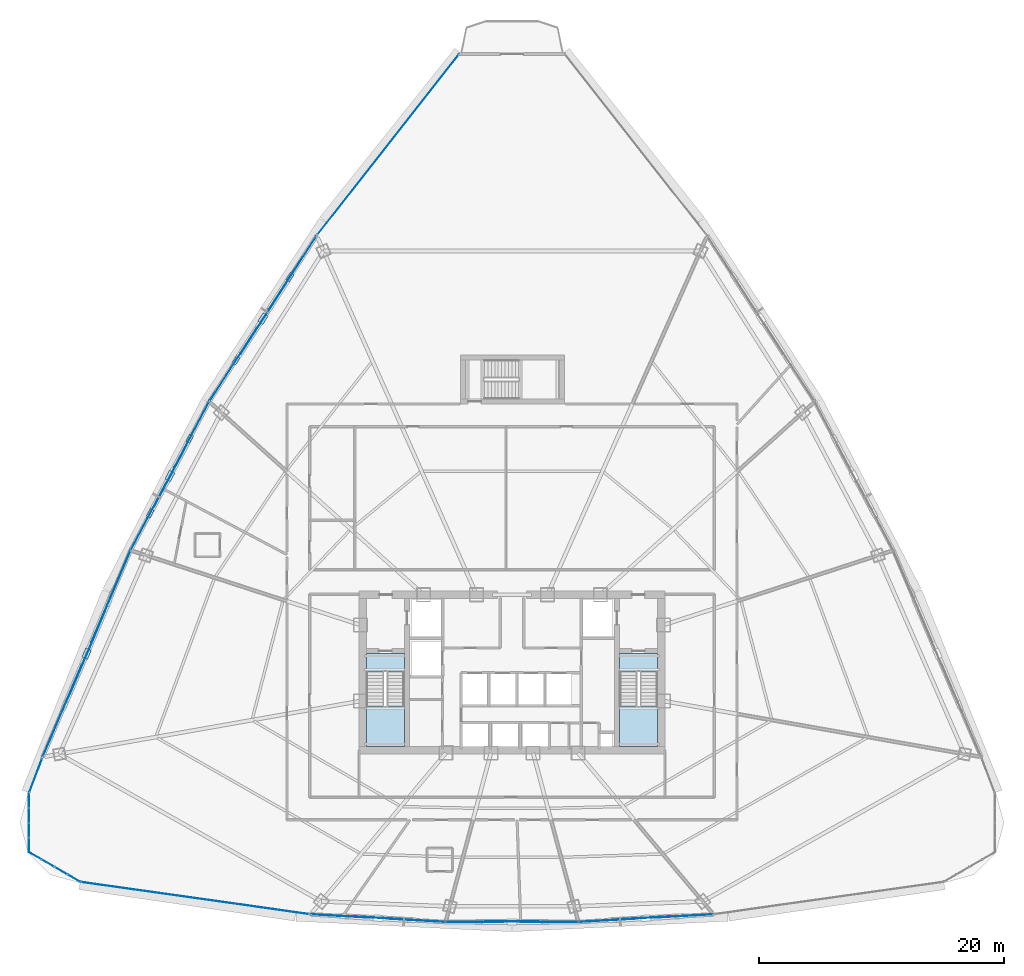
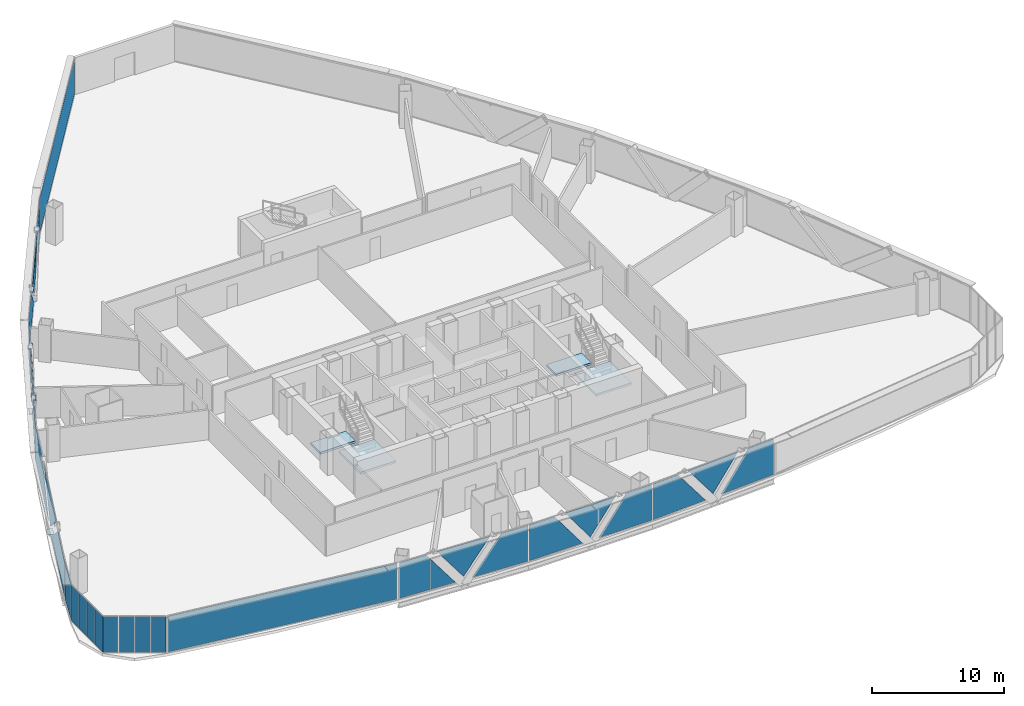
# One storey, part 31 of 42: 36 plates, 4 slabs, 13 elements without a shape of their own.
"""IFC4 building model written with IfcOpenShell, lengths in metres."""

from ifc_helpers import new_model, si_unit, direction, frame, origin, origin_2d, place, context, subcontext, project, spatial, polyline, rectangle, outline, extrude, source, transform, mapped, material, layer, layer_set, type_object, element, aggregate, save


model = new_model("IFC4")

# Units and contexts
model_context = context("Model", 3, precision=1e-05, world=origin(), true_north=direction((0.0, 1.0)))
body_context = subcontext(model_context, "Body", "Model", "MODEL_VIEW")
ifc_project = project(units=[si_unit("LENGTHUNIT", "METRE"), si_unit("AREAUNIT", "SQUARE_METRE"), si_unit("VOLUMEUNIT", "CUBIC_METRE"), si_unit("PLANEANGLEUNIT", "RADIAN"), si_unit("MASSUNIT", "GRAM", prefix="KILO"), si_unit("THERMODYNAMICTEMPERATUREUNIT", "KELVIN"), si_unit("POWERUNIT", "WATT")], contexts=[model_context])

# Site, building, storey
site_placement = place(None, origin())
site = spatial("IfcSite", under=ifc_project, at=site_placement, CompositionType="ELEMENT")
building_placement = place(site_placement, origin())
building = spatial("IfcBuilding", under=site, at=building_placement, Name="Yunzhuo Pagoda Commons", CompositionType="ELEMENT")
storey_placement = place(building_placement, frame((0.0, 0.0, 151.909912109375)))
storey = spatial("IfcBuildingStorey", under=building, at=storey_placement, Name="L38", CompositionType="ELEMENT", Elevation=151.909912109375)

# Curtain wall, plates
ifc_material_1 = material(Name="Anodized aluminium 6063-T6", Category="aluminium")
ifc_layer_1 = layer(ifc_material_1, 0.14990234375)
ifc_layer_set_1 = layer_set([ifc_layer_1], Name="Anodized aluminium 6063-T6")
curtain_wall_type_1 = type_object("IfcCurtainWallType", Name="CW-MID Mid-Zone Ribbon Curtain Wall", PredefinedType="NOTDEFINED", material=ifc_layer_set_1)
curtain_wall_1_placement = place(storey_placement, origin())
curtain_wall_1 = element("IfcCurtainWall", 1, at=curtain_wall_1_placement, inside=storey, type_object=curtain_wall_type_1, Name="L38 curtain wall CW-L38-F1B2", PredefinedType="NOTDEFINED")
ifc_material_2 = material(Name="Tempered low-e double glazing", Category="glass")
ifc_layer_2 = layer(ifc_material_2, 0.028076171875)
ifc_layer_set_2 = layer_set([ifc_layer_2], Name="Tempered low-e double glazing")
plate_type_1 = type_object("IfcPlateType", Name="CW-MID-P Low-E Double Glazing 28", PredefinedType="CURTAIN_PANEL", material=ifc_layer_set_2)
plate_1_placement = place(storey_placement, frame((33.963623046875, 13.94482421875, 1.710205078125), z_axis=(-0.056459249567, -0.998404904404, 0.0), x_axis=(0.998404904404, -0.056459249567, 0.0)))
plate_1 = element("IfcPlate", 2, at=plate_1_placement, type_object=plate_type_1, Name="CW panel 1.1 lite 1", PredefinedType="CURTAIN_PANEL", context=body_context, shape_type="SweptSolid", body=[
    extrude(outline(polyline([(-2.379638671875, -1.655029296875), (2.379638671875, -1.655029296875), (-0.10791015625, 1.655029296875), (-2.379638671875, 1.655029296875), (-2.379638671875, -1.655029296875)])), origin(), (0.0, 0.0, 1.0), 0.028076171875),
])
plate_2_placement = place(storey_placement, frame((37.05224609375, 13.800048828125, 1.868896484375), z_axis=(-0.056459249567, -0.998404904404, 0.0), x_axis=(0.998404904404, -0.056459249567, 0.0)))
plate_2 = element("IfcPlate", 3, at=plate_2_placement, type_object=plate_type_1, Name="CW panel 1.1 lite 2", PredefinedType="CURTAIN_PANEL", context=body_context, shape_type="SweptSolid", body=[
    extrude(outline(polyline([(-2.2490234375, 1.496337890625), (0.0, -1.496337890625), (2.2490234375, 1.496337890625), (-2.2490234375, 1.496337890625)])), origin(), (0.0, 0.0, 1.0), 0.028076171875),
])
plate_3_placement = place(storey_placement, frame((40.137451171875, 13.595458984375, 1.710205078125), z_axis=(-0.056459249567, -0.998404904404, 0.0), x_axis=(0.998404904404, -0.056459249567, 0.0)))
plate_3 = element("IfcPlate", 4, at=plate_3_placement, type_object=plate_type_1, Name="CW panel 1.1 lite 3", PredefinedType="CURTAIN_PANEL", context=body_context, shape_type="SweptSolid", body=[
    extrude(outline(polyline([(-2.379638671875, -1.655029296875), (2.379638671875, -1.655029296875), (2.379638671875, 1.655029296875), (0.10791015625, 1.655029296875), (-2.379638671875, -1.655029296875)])), origin(), (0.0, 0.0, 1.0), 0.028076171875),
])
aggregate(curtain_wall_1, [plate_1, plate_2, plate_3])

curtain_wall_2_placement = place(storey_placement, origin())
curtain_wall_2 = element("IfcCurtainWall", 5, at=curtain_wall_2_placement, inside=storey, type_object=curtain_wall_type_1, Name="L38 curtain wall CW-L38-F1B3", PredefinedType="NOTDEFINED")
plate_4_placement = place(storey_placement, frame((44.964111328125, 13.4580078125, 1.710205078125), z_axis=(0.0, -1.0, 0.0), x_axis=(1.0, 0.0, 0.0)))
plate_4 = element("IfcPlate", 6, at=plate_4_placement, type_object=plate_type_1, Name="CW panel 1.1 lite 1", PredefinedType="CURTAIN_PANEL", context=body_context, shape_type="SweptSolid", body=[
    extrude(outline(polyline([(-2.33154296875, -1.655029296875), (2.33154296875, -1.655029296875), (-0.109375, 1.655029296875), (-2.33154296875, 1.655029296875), (-2.33154296875, -1.655029296875)])), origin(), (0.0, 0.0, 1.0), 0.028076171875),
])
plate_5_placement = place(storey_placement, frame((48.0, 13.48779296875, 1.872802734375), z_axis=(0.0, -1.0, 0.0), x_axis=(1.0, 0.0, 0.0)))
plate_5 = element("IfcPlate", 7, at=plate_5_placement, type_object=plate_type_1, Name="CW panel 1.1 lite 2", PredefinedType="CURTAIN_PANEL", context=body_context, shape_type="SweptSolid", body=[
    extrude(outline(polyline([(-2.201171875, 1.492431640625), (0.0, -1.4921875), (2.201171875, 1.492431640625), (-2.201171875, 1.492431640625)])), origin(), (0.0, 0.0, 1.0), 0.028076171875),
])
plate_6_placement = place(storey_placement, frame((51.035888671875, 13.4580078125, 1.710205078125), z_axis=(0.0, -1.0, 0.0), x_axis=(1.0, 0.0, 0.0)))
plate_6 = element("IfcPlate", 8, at=plate_6_placement, type_object=plate_type_1, Name="CW panel 1.1 lite 3", PredefinedType="CURTAIN_PANEL", context=body_context, shape_type="SweptSolid", body=[
    extrude(outline(polyline([(-2.33154296875, -1.655029296875), (2.33154296875, -1.655029296875), (2.33154296875, 1.655029296875), (0.109375, 1.655029296875), (-2.33154296875, -1.655029296875)])), origin(), (0.0, 0.0, 1.0), 0.028076171875),
])
aggregate(curtain_wall_2, [plate_4, plate_5, plate_6])

curtain_wall_3_placement = place(storey_placement, origin())
curtain_wall_3 = element("IfcCurtainWall", 9, at=curtain_wall_3_placement, inside=storey, type_object=curtain_wall_type_1, Name="L38 curtain wall CW-L38-F1B4", PredefinedType="NOTDEFINED")
plate_7_placement = place(storey_placement, frame((55.862548828125, 13.595458984375, 1.710205078125), z_axis=(0.056459249567, -0.998404904404, 0.0), x_axis=(0.998404904404, 0.056459249567, 0.0)))
plate_7 = element("IfcPlate", 10, at=plate_7_placement, type_object=plate_type_1, Name="CW panel 1.1 lite 1", PredefinedType="CURTAIN_PANEL", context=body_context, shape_type="SweptSolid", body=[
    extrude(outline(polyline([(-2.379638671875, -1.655029296875), (2.379638671875, -1.655029296875), (-0.10791015625, 1.655029296875), (-2.379638671875, 1.655029296875), (-2.379638671875, -1.655029296875)])), origin(), (0.0, 0.0, 1.0), 0.028076171875),
])
plate_8_placement = place(storey_placement, frame((58.94775390625, 13.800048828125, 1.868896484375), z_axis=(0.056459249567, -0.998404904404, 0.0), x_axis=(0.998404904404, 0.056459249567, 0.0)))
plate_8 = element("IfcPlate", 11, at=plate_8_placement, type_object=plate_type_1, Name="CW panel 1.1 lite 2", PredefinedType="CURTAIN_PANEL", context=body_context, shape_type="SweptSolid", body=[
    extrude(outline(polyline([(-2.2490234375, 1.496337890625), (0.0, -1.496337890625), (2.2490234375, 1.496337890625), (-2.2490234375, 1.496337890625)])), origin(), (0.0, 0.0, 1.0), 0.028076171875),
])
plate_9_placement = place(storey_placement, frame((62.036376953125, 13.94482421875, 1.710205078125), z_axis=(0.056459249567, -0.998404904404, 0.0), x_axis=(0.998404904404, 0.056459249567, 0.0)))
plate_9 = element("IfcPlate", 12, at=plate_9_placement, type_object=plate_type_1, Name="CW panel 1.1 lite 3", PredefinedType="CURTAIN_PANEL", context=body_context, shape_type="SweptSolid", body=[
    extrude(outline(polyline([(-2.379638671875, -1.655029296875), (2.379638671875, -1.655029296875), (2.379638671875, 1.655029296875), (0.10791015625, 1.655029296875), (-2.379638671875, -1.655029296875)])), origin(), (0.0, 0.0, 1.0), 0.028076171875),
])
aggregate(curtain_wall_3, [plate_7, plate_8, plate_9])

curtain_wall_4_placement = place(storey_placement, origin())
curtain_wall_4 = element("IfcCurtainWall", 13, at=curtain_wall_4_placement, inside=storey, type_object=curtain_wall_type_1, Name="L38 curtain wall CW-L38-F3B2", PredefinedType="NOTDEFINED")
plate_10_placement = place(storey_placement, frame((30.07861328125, 66.518798828125, 1.710205078125), z_axis=(-0.839392571637, 0.543525630197, 0.0), x_axis=(-0.543525630197, -0.839392571637, 0.0)))
plate_10 = element("IfcPlate", 14, at=plate_10_placement, type_object=plate_type_1, Name="CW panel 1.1 lite 1", PredefinedType="CURTAIN_PANEL", context=body_context, shape_type="SweptSolid", body=[
    extrude(outline(polyline([(-3.556884765625, -1.655029296875), (3.556884765625, -1.655029296875), (-0.078857421875, 1.655029296875), (-3.556884765625, 1.655029296875), (-3.556884765625, -1.655029296875)])), origin(), (0.0, 0.0, 1.0), 0.028076171875),
])
plate_11_placement = place(storey_placement, frame((27.675537109375, 62.75244140625, 1.8095703125), z_axis=(-0.839392571637, 0.543525630197, 0.0), x_axis=(-0.543525630197, -0.839392571637, 0.0)))
plate_11 = element("IfcPlate", 15, at=plate_11_placement, type_object=plate_type_1, Name="CW panel 1.1 lite 2", PredefinedType="CURTAIN_PANEL", context=body_context, shape_type="SweptSolid", body=[
    extrude(outline(polyline([(-3.41748046875, 1.5556640625), (0.0, -1.555419921875), (3.41748046875, 1.5556640625), (-3.41748046875, 1.5556640625)])), origin(), (0.0, 0.0, 1.0), 0.028076171875),
])
plate_12_placement = place(storey_placement, frame((25.22216796875, 59.0185546875, 1.710205078125), z_axis=(-0.839392571637, 0.543525630197, 0.0), x_axis=(-0.543525630197, -0.839392571637, 0.0)))
plate_12 = element("IfcPlate", 16, at=plate_12_placement, type_object=plate_type_1, Name="CW panel 1.1 lite 3", PredefinedType="CURTAIN_PANEL", context=body_context, shape_type="SweptSolid", body=[
    extrude(outline(polyline([(-3.55712890625, -1.655029296875), (3.55712890625, -1.655029296875), (3.55712890625, 1.655029296875), (0.0791015625, 1.655029296875), (-3.55712890625, -1.655029296875)])), origin(), (0.0, 0.0, 1.0), 0.028076171875),
])
aggregate(curtain_wall_4, [plate_10, plate_11, plate_12])

curtain_wall_5_placement = place(storey_placement, origin())
curtain_wall_5 = element("IfcCurtainWall", 17, at=curtain_wall_5_placement, inside=storey, type_object=curtain_wall_type_1, Name="L38 curtain wall CW-L38-F3B3", PredefinedType="NOTDEFINED")
plate_13_placement = place(storey_placement, frame((21.826416015625, 53.27734375, 1.710205078125), z_axis=(-0.884068631112, 0.467357096324, 0.0), x_axis=(-0.467357096324, -0.884068631112, 0.0)))
plate_13 = element("IfcPlate", 18, at=plate_13_placement, type_object=plate_type_1, Name="CW panel 1.1 lite 1", PredefinedType="CURTAIN_PANEL", context=body_context, shape_type="SweptSolid", body=[
    extrude(outline(polyline([(-3.0009765625, -1.655029296875), (3.0009765625, -1.655029296875), (-0.091552734375, 1.655029296875), (-3.0009765625, 1.655029296875), (-3.0009765625, -1.655029296875)])), origin(), (0.0, 0.0, 1.0), 0.028076171875),
])
plate_14_placement = place(storey_placement, frame((20.06982421875, 49.890380859375, 1.830810546875), z_axis=(-0.884068631112, 0.467357096324, 0.0), x_axis=(-0.467357096324, -0.884068631112, 0.0)))
plate_14 = element("IfcPlate", 19, at=plate_14_placement, type_object=plate_type_1, Name="CW panel 1.1 lite 2", PredefinedType="CURTAIN_PANEL", context=body_context, shape_type="SweptSolid", body=[
    extrude(outline(polyline([(-2.86669921875, 1.5341796875), (0.0, -1.5341796875), (2.86669921875, 1.5341796875), (-2.86669921875, 1.5341796875)])), origin(), (0.0, 0.0, 1.0), 0.028076171875),
])
plate_15_placement = place(storey_placement, frame((18.26025390625, 46.531494140625, 1.710205078125), z_axis=(-0.884068631112, 0.467357096324, 0.0), x_axis=(-0.467357096324, -0.884068631112, 0.0)))
plate_15 = element("IfcPlate", 20, at=plate_15_placement, type_object=plate_type_1, Name="CW panel 1.1 lite 3", PredefinedType="CURTAIN_PANEL", context=body_context, shape_type="SweptSolid", body=[
    extrude(outline(polyline([(-3.0009765625, -1.655029296875), (3.0009765625, -1.655029296875), (3.0009765625, 1.655029296875), (0.091552734375, 1.655029296875), (-3.0009765625, -1.655029296875)])), origin(), (0.0, 0.0, 1.0), 0.028076171875),
])
aggregate(curtain_wall_5, [plate_13, plate_14, plate_15])

curtain_wall_6_placement = place(storey_placement, origin())
curtain_wall_6 = element("IfcCurtainWall", 21, at=curtain_wall_6_placement, inside=storey, type_object=curtain_wall_type_1, Name="L38 curtain wall CW-L38-F3B4", PredefinedType="NOTDEFINED")
plate_16_placement = place(storey_placement, frame((15.21728515625, 40.03466796875, 1.710205078125), z_axis=(-0.92021678471, 0.391409081572, 0.0), x_axis=(-0.391409081572, -0.92021678471, 0.0)))
plate_16 = element("IfcPlate", 22, at=plate_16_placement, type_object=plate_type_1, Name="CW panel 1.1 lite 1", PredefinedType="CURTAIN_PANEL", context=body_context, shape_type="SweptSolid", body=[
    extrude(outline(polyline([(-4.060302734375, -1.655029296875), (4.060302734375, -1.655029296875), (-0.068603515625, 1.655029296875), (-4.060302734375, 1.655029296875), (-4.060302734375, -1.655029296875)])), origin(), (0.0, 0.0, 1.0), 0.028076171875),
])
plate_17_placement = place(storey_placement, frame((13.26416015625, 35.36572265625, 1.796142578125), z_axis=(-0.92021678471, 0.391409081572, 0.0), x_axis=(-0.391409081572, -0.92021678471, 0.0)))
plate_17 = element("IfcPlate", 23, at=plate_17_placement, type_object=plate_type_1, Name="CW panel 1.1 lite 2", PredefinedType="CURTAIN_PANEL", context=body_context, shape_type="SweptSolid", body=[
    extrude(outline(polyline([(-3.91455078125, 1.569091796875), (0.0, -1.569091796875), (3.91455078125, 1.569091796875), (-3.91455078125, 1.569091796875)])), origin(), (0.0, 0.0, 1.0), 0.028076171875),
])
plate_18_placement = place(storey_placement, frame((11.255615234375, 30.720458984375, 1.710205078125), z_axis=(-0.92021678471, 0.391409081572, 0.0), x_axis=(-0.391409081572, -0.92021678471, 0.0)))
plate_18 = element("IfcPlate", 24, at=plate_18_placement, type_object=plate_type_1, Name="CW panel 1.1 lite 3", PredefinedType="CURTAIN_PANEL", context=body_context, shape_type="SweptSolid", body=[
    extrude(outline(polyline([(-4.060302734375, -1.655029296875), (4.060302734375, -1.655029296875), (4.060302734375, 1.655029296875), (0.068603515625, 1.655029296875), (-4.060302734375, -1.655029296875)])), origin(), (0.0, 0.0, 1.0), 0.028076171875),
])
aggregate(curtain_wall_6, [plate_16, plate_17, plate_18])

# Stair, slabs
ifc_material_3 = material(Name="Concrete C40", Category="concrete")
stair_type_1 = type_object("IfcStairType", Name="ST-C1 Core Smokeproof Stair ST1", PredefinedType="HALF_TURN_STAIR", material=ifc_material_3)
stair_1_placement = place(storey_placement, origin())
stair_1 = element("IfcStair", 25, at=stair_1_placement, inside=storey, type_object=stair_type_1, Name="L38 Core smokeproof stair ST1", PredefinedType="HALF_TURN_STAIR")
ifc_layer_3 = layer(ifc_material_3, 0.199951171875)
ifc_layer_set_3 = layer_set([ifc_layer_3], Name="Concrete C40")
slab_type_1 = type_object("IfcSlabType", Name="SL-LND1 Stair Landing Slab 200", PredefinedType="LANDING", material=ifc_layer_set_3)
slab_1_placement = place(storey_placement, frame((0.0, 0.0, 1.64013671875)))
slab_1 = element("IfcSlab", 26, at=slab_1_placement, type_object=slab_type_1, Name="ST1 landing 1", PredefinedType="LANDING", context=body_context, shape_type="SweptSolid", body=[
    extrude(outline(polyline([(36.10009765625, 31.10009765625), (36.10009765625, 27.800048828125), (39.199951171875, 27.800048828125), (39.199951171875, 31.10009765625), (36.10009765625, 31.10009765625)])), origin(), (0.0, 0.0, 1.0), 0.199951171875),
])
slab_2_placement = place(storey_placement, frame((0.0, 0.0, -0.199951171875)))
slab_2 = element("IfcSlab", 27, at=slab_2_placement, type_object=slab_type_1, Name="ST1 floor landing L38", PredefinedType="LANDING", context=body_context, shape_type="SweptSolid", body=[
    extrude(outline(polyline([(36.10009765625, 35.39990234375), (36.10009765625, 33.89990234375), (39.199951171875, 33.89990234375), (39.199951171875, 35.39990234375), (36.10009765625, 35.39990234375)])), origin(), (0.0, 0.0, 1.0), 0.199951171875),
])
aggregate(stair_1, [slab_1, slab_2])

stair_type_2 = type_object("IfcStairType", Name="ST-C2 Core Smokeproof Stair ST2", PredefinedType="HALF_TURN_STAIR", material=ifc_material_3)
stair_2_placement = place(storey_placement, origin())
stair_2 = element("IfcStair", 28, at=stair_2_placement, inside=storey, type_object=stair_type_2, Name="L38 Core smokeproof stair ST2", PredefinedType="HALF_TURN_STAIR")
ifc_layer_4 = layer(ifc_material_3, 0.201904296875)
ifc_layer_set_4 = layer_set([ifc_layer_4], Name="Concrete C40")
slab_type_2 = type_object("IfcSlabType", Name="SL-LND2 Stair Landing Slab 202", PredefinedType="LANDING", material=ifc_layer_set_4)
slab_3_placement = place(storey_placement, frame((0.0, 0.0, 1.64013671875)))
slab_3 = element("IfcSlab", 29, at=slab_3_placement, type_object=slab_type_2, Name="ST2 landing 1", PredefinedType="LANDING", context=body_context, shape_type="SweptSolid", body=[
    extrude(outline(polyline([(56.800048828125, 31.10009765625), (56.800048828125, 27.800048828125), (59.89990234375, 27.800048828125), (59.89990234375, 31.10009765625), (56.800048828125, 31.10009765625)])), origin(), (0.0, 0.0, 1.0), 0.199951171875),
])
slab_4_placement = place(storey_placement, frame((0.0, 0.0, -0.199951171875)))
slab_4 = element("IfcSlab", 30, at=slab_4_placement, type_object=slab_type_2, Name="ST2 floor landing L38", PredefinedType="LANDING", context=body_context, shape_type="SweptSolid", body=[
    extrude(outline(polyline([(56.800048828125, 35.39990234375), (56.800048828125, 33.89990234375), (59.89990234375, 33.89990234375), (59.89990234375, 35.39990234375), (56.800048828125, 35.39990234375)])), origin(), (0.0, 0.0, 1.0), 0.199951171875),
])
aggregate(stair_2, [slab_3, slab_4])

# Plates
ifc_material_4 = material(Name="Structural steel Q355B", Category="steel")
ifc_layer_5 = layer(ifc_material_4, 0.028076171875)
ifc_layer_set_5 = layer_set([ifc_layer_5], Name="Structural steel Q355B")
plate_type_2 = type_object("IfcPlateType", Name="SP-ND1 Lattice Node Cap Plate 800x500x28", PredefinedType="USERDEFINED", material=ifc_layer_set_5)
shared_shape_1 = source(origin(), body_context, "Body", "SweptSolid", [
    extrude(rectangle(XDim=0.800048828125, YDim=0.5, at=origin_2d()), origin(), (0.0, 0.0, 1.0), 0.028076171875),
])
for number, where, z_axis, x_axis, name in (
    (31, (27.638916015625, 62.7763671875, -0.27392578125), (0.0, 0.0, 1.0), (-0.543526101434, -0.8393922665, 0.0), "L38 diamond node plate F3.1A"),
    (32, (20.031005859375, 49.910888671875, -0.27392578125), (0.0, 0.0, 1.0), (-0.46735900579, -0.884067621682, 0.0), "L38 diamond node plate F3.2A"),
    (33, (13.223388671875, 35.383056640625, -0.27392578125), (0.0, 0.0, 1.0), (-0.39140578875, -0.920218185287, 0.0), "L38 diamond node plate F3.3A"),
):
    element("IfcPlate", number, at=place(storey_placement, frame(where, z_axis=z_axis, x_axis=x_axis)), inside=storey, type_object=plate_type_2, Name=name, ObjectType="STIFFENER_PLATE", PredefinedType="USERDEFINED", context=body_context, shape_type="MappedRepresentation", body=[
        mapped(shared_shape_1, transform((0.0, 0.0, 0.0), scale=1.0)),
    ])
shared_shape_2 = source(origin(), body_context, "Body", "SweptSolid", [
    extrude(rectangle(XDim=0.699951171875, YDim=0.35009765625, at=origin_2d()), origin(), (0.0, 0.0, 1.0), 0.035888671875),
])
for number, where, z_axis, x_axis, name in (
    (34, (29.8359375, 66.16943359375, 3.38232421875), (0.0, 0.0, 1.0), (-0.543526101434, -0.8393922665, 0.0), "L38 setback lattice tie plate F3.1L"),
    (35, (25.441650390625, 59.383056640625, 3.38232421875), (0.0, 0.0, 1.0), (-0.543526101434, -0.8393922665, 0.0), "L38 setback lattice tie plate F3.1R"),
    (36, (21.6376953125, 52.950439453125, 3.38232421875), (0.0, 0.0, 1.0), (-0.46735900579, -0.884067621682, 0.0), "L38 setback lattice tie plate F3.2L"),
    (37, (18.424072265625, 46.871337890625, 3.38232421875), (0.0, 0.0, 1.0), (-0.46735900579, -0.884067621682, 0.0), "L38 setback lattice tie plate F3.2R"),
):
    element("IfcPlate", number, at=place(storey_placement, frame(where, z_axis=z_axis, x_axis=x_axis)), inside=storey, type_object=plate_type_2, Name=name, ObjectType="STIFFENER_PLATE", PredefinedType="USERDEFINED", context=body_context, shape_type="MappedRepresentation", body=[
        mapped(shared_shape_2, transform((0.0, 0.0, 0.0), scale=1.0)),
    ])

# Curtain wall, plate
curtain_wall_7_placement = place(storey_placement, origin())
curtain_wall_7 = element("IfcCurtainWall", 38, at=curtain_wall_7_placement, inside=storey, type_object=curtain_wall_type_1, Name="L38 curtain wall CW-L38-F1B1", PredefinedType="NOTDEFINED")
shared_shape_3 = source(origin(), body_context, "Body", "SweptSolid", [
    extrude(rectangle(XDim=18.81640625, YDim=0.028076171875, at=origin_2d()), origin(), (0.0, 0.0, 1.0), 3.31005859375),
])
plate_19_placement = place(storey_placement, frame((22.077392578125, 15.401123046875, 0.05517578125), z_axis=(0.0, 0.0, 1.0), x_axis=(0.990203780714, -0.13962976996, 0.0)))
plate_19 = element("IfcPlate", 39, at=plate_19_placement, type_object=plate_type_1, Name="CW panel 1.1", PredefinedType="CURTAIN_PANEL", context=body_context, shape_type="MappedRepresentation", body=[
    mapped(shared_shape_3, transform((0.0, 0.0, 0.0), scale=1.0)),
])
aggregate(curtain_wall_7, [plate_19])

curtain_wall_8_placement = place(storey_placement, origin())
curtain_wall_8 = element("IfcCurtainWall", 40, at=curtain_wall_8_placement, inside=storey, type_object=curtain_wall_type_1, Name="L38 curtain wall CW-L38-F3B5", PredefinedType="NOTDEFINED")
shared_shape_4 = source(origin(), body_context, "Body", "SweptSolid", [
    extrude(rectangle(XDim=2.937255859375, YDim=0.028076171875, at=origin_2d()), origin(), (0.0, 0.0, 1.0), 3.31005859375),
])
plate_20_placement = place(storey_placement, frame((9.062255859375, 25.4345703125, 0.05517578125), z_axis=(0.0, 0.0, 1.0), x_axis=(-0.35399648846, -0.935246751482, 0.0)))
plate_20 = element("IfcPlate", 41, at=plate_20_placement, type_object=plate_type_1, Name="CW panel 1.1", PredefinedType="CURTAIN_PANEL", context=body_context, shape_type="MappedRepresentation", body=[
    mapped(shared_shape_4, transform((0.0, 0.0, 0.0), scale=1.0)),
])
aggregate(curtain_wall_8, [plate_20])

curtain_wall_9_placement = place(storey_placement, origin())
curtain_wall_9 = element("IfcCurtainWall", 42, at=curtain_wall_9_placement, inside=storey, type_object=curtain_wall_type_1, Name="L38 curtain wall CW-L38-F3B1", PredefinedType="NOTDEFINED")
shared_shape_5 = source(origin(), body_context, "Body", "SweptSolid", [
    extrude(rectangle(XDim=18.6806640625, YDim=0.028076171875, at=origin_2d()), origin(), (0.0, 0.0, 1.0), 3.31005859375),
])
plate_21_placement = place(storey_placement, frame((37.8818359375, 77.017333984375, 0.05517578125), z_axis=(0.0, 0.0, 1.0), x_axis=(-0.61725996734, -0.786759259697, 0.0)))
plate_21 = element("IfcPlate", 43, at=plate_21_placement, type_object=plate_type_1, Name="CW panel 1.1", PredefinedType="CURTAIN_PANEL", context=body_context, shape_type="MappedRepresentation", body=[
    mapped(shared_shape_5, transform((0.0, 0.0, 0.0), scale=1.0)),
])
aggregate(curtain_wall_9, [plate_21])

# Curtain wall, plates
ifc_layer_6 = layer(ifc_material_1, 0.1298828125)
ifc_layer_set_6 = layer_set([ifc_layer_6], Name="Anodized aluminium 6063-T6")
curtain_wall_type_2 = type_object("IfcCurtainWallType", Name="CW-VTX Rounded Corner Curtain Wall", PredefinedType="NOTDEFINED", material=ifc_layer_set_6)
curtain_wall_10_placement = place(storey_placement, origin())
curtain_wall_10 = element("IfcCurtainWall", 44, at=curtain_wall_10_placement, inside=storey, type_object=curtain_wall_type_2, Name="L38 curtain wall CW-L38-VTX1S1", PredefinedType="NOTDEFINED")
ifc_layer_7 = layer(ifc_material_2, 0.02587890625)
ifc_layer_set_7 = layer_set([ifc_layer_7], Name="Tempered low-e double glazing")
plate_type_3 = type_object("IfcPlateType", Name="CW-VTX-P Low-E Double Glazing 26", PredefinedType="CURTAIN_PANEL", material=ifc_layer_set_7)
shared_shape_6 = source(origin(), body_context, "Body", "SweptSolid", [
    extrude(rectangle(XDim=1.141845703125, YDim=0.028076171875, at=origin_2d()), origin(), (0.0, 0.0, 1.0), 3.31005859375),
])
plate_22_placement = place(storey_placement, frame((8.518798828125, 23.37890625, 0.05517578125), z_axis=(0.0, 0.0, 1.0), x_axis=(-0.00359372042, -0.999993542566, 0.0)))
plate_22 = element("IfcPlate", 45, at=plate_22_placement, type_object=plate_type_3, Name="CW panel 1.1", PredefinedType="CURTAIN_PANEL", context=body_context, shape_type="MappedRepresentation", body=[
    mapped(shared_shape_6, transform((0.0, 0.0, 0.0), scale=1.0)),
])
plate_23_placement = place(storey_placement, frame((8.505615234375, 19.7333984375, 0.05517578125), z_axis=(0.0, 0.0, 1.0), x_axis=(-0.00359372042, -0.999993542566, 0.0)))
plate_23 = element("IfcPlate", 46, at=plate_23_placement, type_object=plate_type_3, Name="CW panel 4.1", PredefinedType="CURTAIN_PANEL", context=body_context, shape_type="MappedRepresentation", body=[
    mapped(shared_shape_6, transform((0.0, 0.0, 0.0), scale=1.0)),
])

curtain_wall_11_placement = place(storey_placement, origin())
curtain_wall_11 = element("IfcCurtainWall", 47, at=curtain_wall_11_placement, inside=storey, type_object=curtain_wall_type_2, Name="L38 curtain wall CW-L38-VTX1S2", PredefinedType="NOTDEFINED")
plate_24_placement = place(storey_placement, frame((9.005126953125, 18.86328125, 0.05517578125), z_axis=(0.0, 0.0, 1.0), x_axis=(0.865427217457, -0.501034660762, 0.0)))
plate_24 = element("IfcPlate", 48, at=plate_24_placement, type_object=plate_type_3, Name="CW panel 1.1", PredefinedType="CURTAIN_PANEL", context=body_context, shape_type="MappedRepresentation", body=[
    mapped(shared_shape_6, transform((0.0, 0.0, 0.0), scale=1.0)),
])
plate_25_placement = place(storey_placement, frame((12.16015625, 17.03662109375, 0.05517578125), z_axis=(0.0, 0.0, 1.0), x_axis=(0.865427217457, -0.501034660762, 0.0)))
plate_25 = element("IfcPlate", 49, at=plate_25_placement, type_object=plate_type_3, Name="CW panel 4.1", PredefinedType="CURTAIN_PANEL", context=body_context, shape_type="MappedRepresentation", body=[
    mapped(shared_shape_6, transform((0.0, 0.0, 0.0), scale=1.0)),
])

# Plate
shared_shape_7 = source(origin(), body_context, "Body", "SweptSolid", [
    extrude(rectangle(XDim=1.16943359375, YDim=0.028076171875, at=origin_2d()), origin(), (0.0, 0.0, 1.0), 3.31005859375),
])
plate_26_placement = place(storey_placement, frame((8.514404296875, 22.168212890625, 0.05517578125), z_axis=(0.0, 0.0, 1.0), x_axis=(-0.00359372042, -0.999993542566, 0.0)))
plate_26 = element("IfcPlate", 50, at=plate_26_placement, type_object=plate_type_3, Name="CW panel 2.1", PredefinedType="CURTAIN_PANEL", context=body_context, shape_type="MappedRepresentation", body=[
    mapped(shared_shape_7, transform((0.0, 0.0, 0.0), scale=1.0)),
])

plate_27_placement = place(storey_placement, frame((8.510009765625, 20.94384765625, 0.05517578125), z_axis=(0.0, 0.0, 1.0), x_axis=(-0.00359372042, -0.999993542566, 0.0)))
plate_27 = element("IfcPlate", 51, at=plate_27_placement, type_object=plate_type_3, Name="CW panel 3.1", PredefinedType="CURTAIN_PANEL", context=body_context, shape_type="MappedRepresentation", body=[
    mapped(shared_shape_7, transform((0.0, 0.0, 0.0), scale=1.0)),
])

aggregate(curtain_wall_10, [plate_22, plate_26, plate_27, plate_23])

plate_28_placement = place(storey_placement, frame((10.052978515625, 18.2568359375, 0.05517578125), z_axis=(0.0, 0.0, 1.0), x_axis=(0.865427217457, -0.501034660762, 0.0)))
plate_28 = element("IfcPlate", 52, at=plate_28_placement, type_object=plate_type_3, Name="CW panel 2.1", PredefinedType="CURTAIN_PANEL", context=body_context, shape_type="MappedRepresentation", body=[
    mapped(shared_shape_7, transform((0.0, 0.0, 0.0), scale=1.0)),
])

plate_29_placement = place(storey_placement, frame((11.112548828125, 17.643310546875, 0.05517578125), z_axis=(0.0, 0.0, 1.0), x_axis=(0.865427217457, -0.501034660762, 0.0)))
plate_29 = element("IfcPlate", 53, at=plate_29_placement, type_object=plate_type_3, Name="CW panel 3.1", PredefinedType="CURTAIN_PANEL", context=body_context, shape_type="MappedRepresentation", body=[
    mapped(shared_shape_7, transform((0.0, 0.0, 0.0), scale=1.0)),
])

aggregate(curtain_wall_11, [plate_24, plate_28, plate_29, plate_25])

save(model, "model.ifc")
